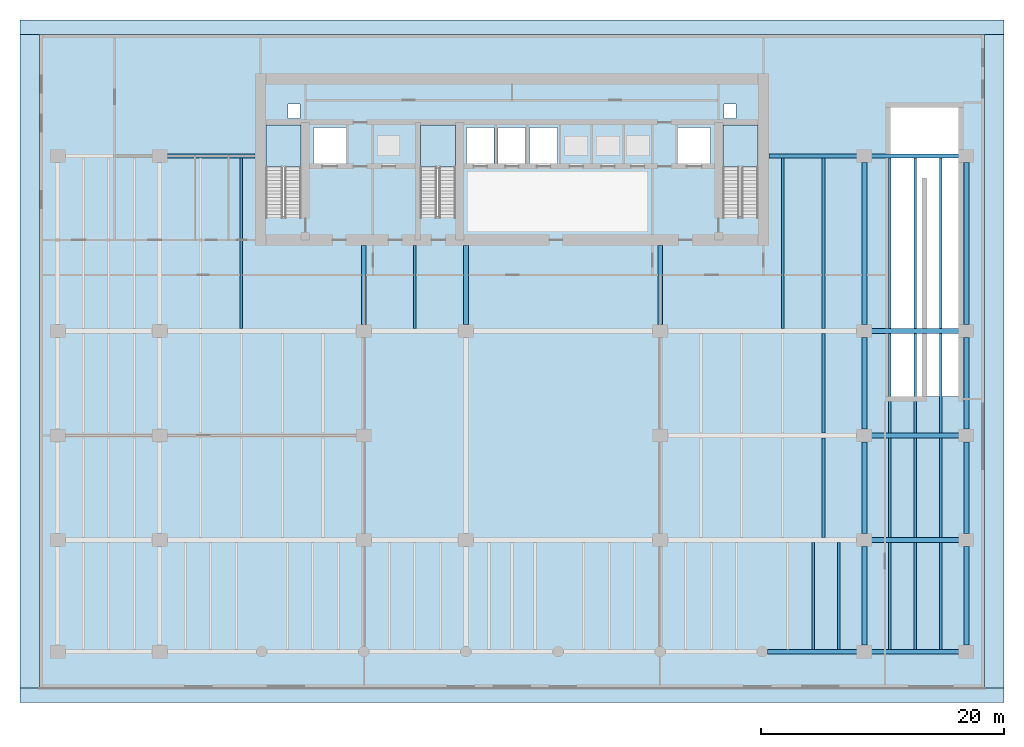
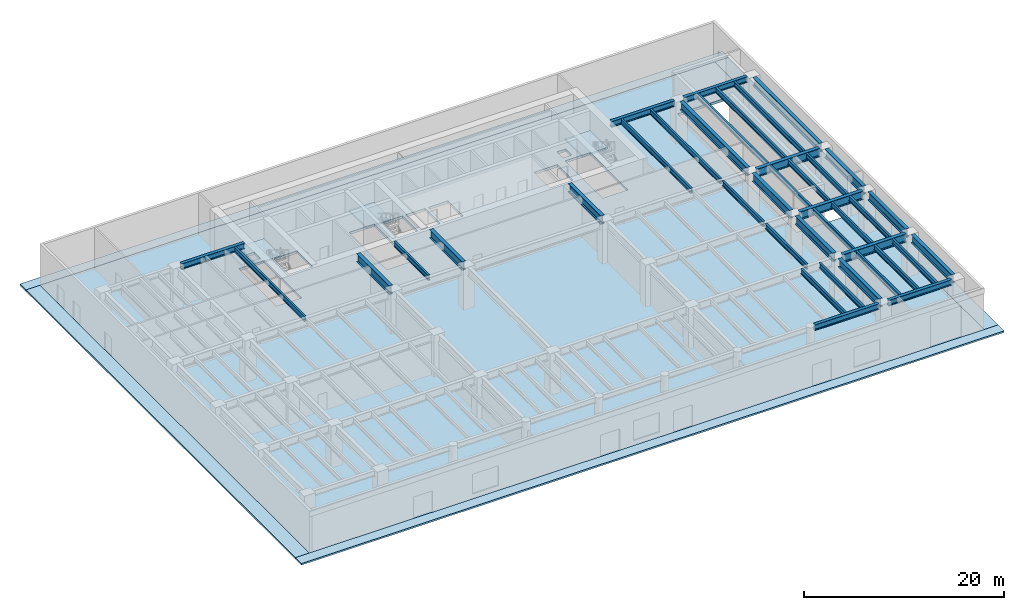
# One storey, part 2 of 11: 39 beams, 8 slabs, 3 elements without a shape of their own.
"""IFC4 building model written with IfcOpenShell, lengths in metres."""

from ifc_helpers import new_model, si_unit, direction, frame, origin, origin_2d, place, context, subcontext, project, spatial, polyline, i_section, outline, extrude, material, layer, layer_set, material_profile, profile_set, type_object, element, aggregate, save


model = new_model("IFC4")

# Units and contexts
model_context = context("Model", 3, precision=1e-05, world=origin(), true_north=direction((0.0, 1.0)))
body_context = subcontext(model_context, "Body", "Model", "MODEL_VIEW")
ifc_project = project(units=[si_unit("LENGTHUNIT", "METRE"), si_unit("AREAUNIT", "SQUARE_METRE"), si_unit("VOLUMEUNIT", "CUBIC_METRE"), si_unit("PLANEANGLEUNIT", "RADIAN"), si_unit("MASSUNIT", "GRAM", prefix="KILO")], contexts=[model_context])

# Site, building, storey
site_placement = place(None, origin())
site = spatial("IfcSite", under=ifc_project, at=site_placement, CompositionType="ELEMENT")
building_placement = place(site_placement, origin())
building = spatial("IfcBuilding", under=site, at=building_placement, Name="Caelmar Bay Residences", CompositionType="ELEMENT")
storey_placement = place(building_placement, origin())
storey = spatial("IfcBuildingStorey", under=building, at=storey_placement, Name="L00", CompositionType="ELEMENT", Elevation=0.0)

# Beams
ifc_material_1 = material(Name="Steel ASTM A992 Grade 50", Category="steel")
ifc_material_profile_1 = material_profile(ifc_material_1, i_section(OverallWidth=0.404052734375, OverallDepth=1.02099609375, WebThickness=0.025390625, FlangeThickness=0.0458984375, FilletRadius=0.02294921875, at=origin_2d()), Name="W40X324")
ifc_profile_set_1 = profile_set([ifc_material_profile_1], Name="Steel ASTM A992 Grade 50")
beam_type_1 = type_object("IfcBeamType", Name="BM-GRD-W40X324", PredefinedType="BEAM", material=ifc_profile_set_1)
for number, where, z_axis, x_axis, name in (
    (1, (68.43994140625, 12.199951171875, 4.589599609375), (1.0, 0.0, 0.0), (0.0, 1.0, 0.0), "L00 East-West Girder Y=12.20 (67.9-76.3)"),
    (2, (68.43994140625, 20.800048828125, 4.589599609375), (1.0, 0.0, 0.0), (0.0, 1.0, 0.0), "L00 East-West Girder Y=20.80 (67.9-76.3)"),
    (3, (68.43994140625, 29.39990234375, 4.589599609375), (1.0, 0.0, 0.0), (0.0, 1.0, 0.0), "L00 East-West Girder Y=29.40 (67.9-76.3)"),
):
    element("IfcBeam", number, at=place(storey_placement, frame(where, z_axis=z_axis, x_axis=x_axis)), inside=storey, type_object=beam_type_1, Name=name, PredefinedType="BEAM", context=body_context, shape_type="SweptSolid", body=[
        extrude(i_section(OverallWidth=0.404052734375, OverallDepth=1.02099609375, WebThickness=0.025390625, FlangeThickness=0.0458984375, FilletRadius=0.02294921875, at=origin_2d()), origin(), (0.0, 0.0, 1.0), 7.320068359375),
    ])
for number, where, z_axis, x_axis, name in (
    (4, (26.699951171875, 29.93994140625, 4.589599609375), (0.0, 1.0, 0.0), (-1.0, 0.0, 0.0), "L00 Core Tie Girder X=26.70"),
    (5, (35.10009765625, 29.93994140625, 4.589599609375), (0.0, 1.0, 0.0), (-1.0, 0.0, 0.0), "L00 Core Tie Girder X=35.10"),
    (6, (51.10009765625, 29.93994140625, 4.589599609375), (0.0, 1.0, 0.0), (-1.0, 0.0, 0.0), "L00 Core Tie Girder X=51.10"),
):
    element("IfcBeam", number, at=place(storey_placement, frame(where, z_axis=z_axis, x_axis=x_axis)), inside=storey, type_object=beam_type_1, Name=name, PredefinedType="BEAM", context=body_context, shape_type="SweptSolid", body=[
        extrude(i_section(OverallWidth=0.404052734375, OverallDepth=1.02099609375, WebThickness=0.025390625, FlangeThickness=0.0458984375, FilletRadius=0.02294921875, at=origin_2d()), origin(), (0.0, 0.0, 1.0), 6.510009765625),
    ])
beam_1_placement = place(storey_placement, frame((67.89990234375, 3.5400390625, 4.589599609375), z_axis=(0.0, 1.0, 0.0), x_axis=(-1.0, 0.0, 0.0)))
element("IfcBeam", 7, at=beam_1_placement, inside=storey, type_object=beam_type_1, Name="L00 North-South Girder X=67.90 (3.0-12.2)", PredefinedType="BEAM", context=body_context, shape_type="SweptSolid", body=[
    extrude(i_section(OverallWidth=0.404052734375, OverallDepth=1.02099609375, WebThickness=0.025390625, FlangeThickness=0.0458984375, FilletRadius=0.02294921875, at=origin_2d()), origin(), (0.0, 0.0, 1.0), 8.119873046875),
])
for number, where, z_axis, x_axis, name in (
    (8, (67.89990234375, 12.739990234375, 4.589599609375), (0.0, 1.0, 0.0), (-1.0, 0.0, 0.0), "L00 North-South Girder X=67.90 (12.2-20.8)"),
    (9, (67.89990234375, 21.340087890625, 4.589599609375), (0.0, 1.0, 0.0), (-1.0, 0.0, 0.0), "L00 North-South Girder X=67.90 (20.8-29.4)"),
):
    element("IfcBeam", number, at=place(storey_placement, frame(where, z_axis=z_axis, x_axis=x_axis)), inside=storey, type_object=beam_type_1, Name=name, PredefinedType="BEAM", context=body_context, shape_type="SweptSolid", body=[
        extrude(i_section(OverallWidth=0.404052734375, OverallDepth=1.02099609375, WebThickness=0.025390625, FlangeThickness=0.0458984375, FilletRadius=0.02294921875, at=origin_2d()), origin(), (0.0, 0.0, 1.0), 7.52001953125),
    ])
beam_2_placement = place(storey_placement, frame((67.89990234375, 29.93994140625, 4.589599609375), z_axis=(0.0, 1.0, 0.0), x_axis=(-1.0, 0.0, 0.0)))
element("IfcBeam", 10, at=beam_2_placement, inside=storey, type_object=beam_type_1, Name="L00 North-South Girder X=67.90 (29.4-43.8)", PredefinedType="BEAM", context=body_context, shape_type="SweptSolid", body=[
    extrude(i_section(OverallWidth=0.404052734375, OverallDepth=1.02099609375, WebThickness=0.025390625, FlangeThickness=0.0458984375, FilletRadius=0.02294921875, at=origin_2d()), origin(), (0.0, 0.0, 1.0), 13.320068359375),
])
beam_3_placement = place(storey_placement, frame((76.300048828125, 3.5400390625, 4.589599609375), z_axis=(0.0, 1.0, 0.0), x_axis=(-1.0, 0.0, 0.0)))
element("IfcBeam", 11, at=beam_3_placement, inside=storey, type_object=beam_type_1, Name="L00 North-South Girder X=76.30 (3.0-12.2)", PredefinedType="BEAM", context=body_context, shape_type="SweptSolid", body=[
    extrude(i_section(OverallWidth=0.404052734375, OverallDepth=1.02099609375, WebThickness=0.025390625, FlangeThickness=0.0458984375, FilletRadius=0.02294921875, at=origin_2d()), origin(), (0.0, 0.0, 1.0), 8.119873046875),
])
for number, where, z_axis, x_axis, name in (
    (12, (76.300048828125, 12.739990234375, 4.589599609375), (0.0, 1.0, 0.0), (-1.0, 0.0, 0.0), "L00 North-South Girder X=76.30 (12.2-20.8)"),
    (13, (76.300048828125, 21.340087890625, 4.589599609375), (0.0, 1.0, 0.0), (-1.0, 0.0, 0.0), "L00 North-South Girder X=76.30 (20.8-29.4)"),
):
    element("IfcBeam", number, at=place(storey_placement, frame(where, z_axis=z_axis, x_axis=x_axis)), inside=storey, type_object=beam_type_1, Name=name, PredefinedType="BEAM", context=body_context, shape_type="SweptSolid", body=[
        extrude(i_section(OverallWidth=0.404052734375, OverallDepth=1.02099609375, WebThickness=0.025390625, FlangeThickness=0.0458984375, FilletRadius=0.02294921875, at=origin_2d()), origin(), (0.0, 0.0, 1.0), 7.52001953125),
    ])
beam_4_placement = place(storey_placement, frame((76.300048828125, 29.93994140625, 4.589599609375), z_axis=(0.0, 1.0, 0.0), x_axis=(-1.0, 0.0, 0.0)))
element("IfcBeam", 14, at=beam_4_placement, inside=storey, type_object=beam_type_1, Name="L00 North-South Girder X=76.30 (29.4-43.8)", PredefinedType="BEAM", context=body_context, shape_type="SweptSolid", body=[
    extrude(i_section(OverallWidth=0.404052734375, OverallDepth=1.02099609375, WebThickness=0.025390625, FlangeThickness=0.0458984375, FilletRadius=0.02294921875, at=origin_2d()), origin(), (0.0, 0.0, 1.0), 13.320068359375),
])
ifc_material_profile_2 = material_profile(ifc_material_1, i_section(OverallWidth=0.22900390625, OverallDepth=0.612060546875, WebThickness=0.011962890625, FlangeThickness=0.01953125, FilletRadius=0.0126953125, at=origin_2d()), Name="W24X84")
ifc_profile_set_2 = profile_set([ifc_material_profile_2], Name="Steel ASTM A992 Grade 50")
beam_type_2 = type_object("IfcBeamType", Name="BM-JST-W24X84", PredefinedType="JOIST", material=ifc_profile_set_2)
for number, where, z_axis, x_axis, name in (
    (15, (63.699951171875, 3.177978515625, 4.7939453125), (0.0, 1.0, 0.0), (-1.0, 0.0, 0.0), "L00 Composite Floor Joist 23"),
    (16, (65.800048828125, 3.177978515625, 4.7939453125), (0.0, 1.0, 0.0), (-1.0, 0.0, 0.0), "L00 Composite Floor Joist 24"),
    (17, (70.0, 3.177978515625, 4.7939453125), (0.0, 1.0, 0.0), (-1.0, 0.0, 0.0), "L00 Composite Floor Joist 25"),
    (18, (72.10009765625, 3.177978515625, 4.7939453125), (0.0, 1.0, 0.0), (-1.0, 0.0, 0.0), "L00 Composite Floor Joist 26"),
    (19, (74.199951171875, 3.177978515625, 4.7939453125), (0.0, 1.0, 0.0), (-1.0, 0.0, 0.0), "L00 Composite Floor Joist 27"),
):
    element("IfcBeam", number, at=place(storey_placement, frame(where, z_axis=z_axis, x_axis=x_axis)), inside=storey, type_object=beam_type_2, Name=name, PredefinedType="JOIST", context=body_context, shape_type="SweptSolid", body=[
        extrude(i_section(OverallWidth=0.22900390625, OverallDepth=0.612060546875, WebThickness=0.011962890625, FlangeThickness=0.01953125, FilletRadius=0.0126953125, at=origin_2d()), origin(), (0.0, 0.0, 1.0), 8.820068359375),
    ])
for number, where, z_axis, x_axis, name in (
    (20, (64.5400390625, 12.402099609375, 4.7939453125), (0.0, 1.0, 0.0), (-1.0, 0.0, 0.0), "L00 Composite Floor Joist 38"),
    (21, (70.0, 12.402099609375, 4.7939453125), (0.0, 1.0, 0.0), (-1.0, 0.0, 0.0), "L00 Composite Floor Joist 39"),
    (22, (72.10009765625, 12.402099609375, 4.7939453125), (0.0, 1.0, 0.0), (-1.0, 0.0, 0.0), "L00 Composite Floor Joist 40"),
    (23, (74.199951171875, 12.402099609375, 4.7939453125), (0.0, 1.0, 0.0), (-1.0, 0.0, 0.0), "L00 Composite Floor Joist 41"),
):
    element("IfcBeam", number, at=place(storey_placement, frame(where, z_axis=z_axis, x_axis=x_axis)), inside=storey, type_object=beam_type_2, Name=name, PredefinedType="JOIST", context=body_context, shape_type="SweptSolid", body=[
        extrude(i_section(OverallWidth=0.22900390625, OverallDepth=0.612060546875, WebThickness=0.011962890625, FlangeThickness=0.01953125, FilletRadius=0.0126953125, at=origin_2d()), origin(), (0.0, 0.0, 1.0), 8.19580078125),
    ])
for number, where, z_axis, x_axis, name in (
    (24, (64.5400390625, 21.001953125, 4.7939453125), (0.0, 1.0, 0.0), (-1.0, 0.0, 0.0), "L00 Composite Floor Joist 52"),
    (25, (70.0, 21.001953125, 4.7939453125), (0.0, 1.0, 0.0), (-1.0, 0.0, 0.0), "L00 Composite Floor Joist 53"),
    (26, (72.10009765625, 21.001953125, 4.7939453125), (0.0, 1.0, 0.0), (-1.0, 0.0, 0.0), "L00 Composite Floor Joist 54"),
    (27, (74.199951171875, 21.001953125, 4.7939453125), (0.0, 1.0, 0.0), (-1.0, 0.0, 0.0), "L00 Composite Floor Joist 55"),
):
    element("IfcBeam", number, at=place(storey_placement, frame(where, z_axis=z_axis, x_axis=x_axis)), inside=storey, type_object=beam_type_2, Name=name, PredefinedType="JOIST", context=body_context, shape_type="SweptSolid", body=[
        extrude(i_section(OverallWidth=0.22900390625, OverallDepth=0.612060546875, WebThickness=0.011962890625, FlangeThickness=0.01953125, FilletRadius=0.0126953125, at=origin_2d()), origin(), (0.0, 0.0, 1.0), 8.196044921875),
    ])
beam_5_placement = place(storey_placement, frame((30.89990234375, 29.60205078125, 4.7939453125), z_axis=(0.0, 1.0, 0.0), x_axis=(-1.0, 0.0, 0.0)))
element("IfcBeam", 28, at=beam_5_placement, inside=storey, type_object=beam_type_2, Name="L00 Core-Band Composite Joist 56", PredefinedType="JOIST", context=body_context, shape_type="SweptSolid", body=[
    extrude(i_section(OverallWidth=0.22900390625, OverallDepth=0.612060546875, WebThickness=0.011962890625, FlangeThickness=0.01953125, FilletRadius=0.0126953125, at=origin_2d()), origin(), (0.0, 0.0, 1.0), 6.847900390625),
])
for number, where, z_axis, x_axis, name in (
    (29, (16.6201171875, 29.60205078125, 4.7939453125), (0.0, 1.0, 0.0), (-1.0, 0.0, 0.0), "L00 Composite Floor Joist 61"),
    (30, (61.179931640625, 29.60205078125, 4.7939453125), (0.0, 1.0, 0.0), (-1.0, 0.0, 0.0), "L00 Composite Floor Joist 62"),
    (31, (64.5400390625, 29.60205078125, 4.7939453125), (0.0, 1.0, 0.0), (-1.0, 0.0, 0.0), "L00 Composite Floor Joist 63"),
    (32, (70.0, 29.60205078125, 4.7939453125), (0.0, 1.0, 0.0), (-1.0, 0.0, 0.0), "L00 Composite Floor Joist 64"),
    (33, (72.10009765625, 29.60205078125, 4.7939453125), (0.0, 1.0, 0.0), (-1.0, 0.0, 0.0), "L00 Composite Floor Joist 65"),
    (34, (74.199951171875, 29.60205078125, 4.7939453125), (0.0, 1.0, 0.0), (-1.0, 0.0, 0.0), "L00 Composite Floor Joist 66"),
):
    element("IfcBeam", number, at=place(storey_placement, frame(where, z_axis=z_axis, x_axis=x_axis)), inside=storey, type_object=beam_type_2, Name=name, PredefinedType="JOIST", context=body_context, shape_type="SweptSolid", body=[
        extrude(i_section(OverallWidth=0.22900390625, OverallDepth=0.612060546875, WebThickness=0.011962890625, FlangeThickness=0.01953125, FilletRadius=0.0126953125, at=origin_2d()), origin(), (0.0, 0.0, 1.0), 14.02001953125),
    ])
ifc_material_profile_3 = material_profile(ifc_material_1, i_section(OverallWidth=0.35595703125, OverallDepth=0.696044921875, WebThickness=0.015380859375, FlangeThickness=0.02490234375, FilletRadius=0.01513671875, at=origin_2d()), Name="W27X146")
ifc_profile_set_3 = profile_set([ifc_material_profile_3], Name="Steel ASTM A992 Grade 50")
beam_type_3 = type_object("IfcBeamType", Name="BM-SPN-W27X146", PredefinedType="SPANDREL", material=ifc_profile_set_3)
beam_6_placement = place(storey_placement, frame((59.93994140625, 3.0, 4.751953125), z_axis=(1.0, 0.0, 0.0), x_axis=(0.0, 1.0, 0.0)))
element("IfcBeam", 35, at=beam_6_placement, inside=storey, type_object=beam_type_3, Name="L00 East-West Girder Y=3.00 (59.5-67.9)", PredefinedType="SPANDREL", context=body_context, shape_type="SweptSolid", body=[
    extrude(i_section(OverallWidth=0.35595703125, OverallDepth=0.696044921875, WebThickness=0.015380859375, FlangeThickness=0.02490234375, FilletRadius=0.01513671875, at=origin_2d()), origin(), (0.0, 0.0, 1.0), 7.420166015625),
])
for number, where, z_axis, x_axis, name in (
    (36, (68.43994140625, 3.0, 4.751953125), (1.0, 0.0, 0.0), (0.0, 1.0, 0.0), "L00 East-West Girder Y=3.00 (67.9-76.3)"),
    (37, (68.43994140625, 43.800048828125, 4.751953125), (1.0, 0.0, 0.0), (0.0, 1.0, 0.0), "L00 East-West Girder Y=43.80 (67.9-76.3)"),
):
    element("IfcBeam", number, at=place(storey_placement, frame(where, z_axis=z_axis, x_axis=x_axis)), inside=storey, type_object=beam_type_3, Name=name, PredefinedType="SPANDREL", context=body_context, shape_type="SweptSolid", body=[
        extrude(i_section(OverallWidth=0.35595703125, OverallDepth=0.696044921875, WebThickness=0.015380859375, FlangeThickness=0.02490234375, FilletRadius=0.01513671875, at=origin_2d()), origin(), (0.0, 0.0, 1.0), 7.320068359375),
    ])
for number, where, z_axis, x_axis, name in (
    (38, (10.43994140625, 43.800048828125, 4.751953125), (1.0, 0.0, 0.0), (0.0, 1.0, 0.0), "L00 North-West Wing Core Tie Girder"),
    (39, (60.050048828125, 43.800048828125, 4.751953125), (1.0, 0.0, 0.0), (0.0, 1.0, 0.0), "L00 North-East Wing Core Tie Girder"),
):
    element("IfcBeam", number, at=place(storey_placement, frame(where, z_axis=z_axis, x_axis=x_axis)), inside=storey, type_object=beam_type_3, Name=name, PredefinedType="SPANDREL", context=body_context, shape_type="SweptSolid", body=[
        extrude(i_section(OverallWidth=0.35595703125, OverallDepth=0.696044921875, WebThickness=0.015380859375, FlangeThickness=0.02490234375, FilletRadius=0.01513671875, at=origin_2d()), origin(), (0.0, 0.0, 1.0), 7.31005859375),
    ])

# Stair, slab
ifc_material_2 = material(Name="Concrete f'c 40 MPa (6,000 psi)", Category="concrete")
stair_type = type_object("IfcStairType", Name="ST-TAL-170", PredefinedType="HALF_TURN_STAIR", material=ifc_material_2)
stair_1_placement = place(storey_placement, origin())
stair_1 = element("IfcStair", 40, at=stair_1_placement, inside=storey, type_object=stair_type, Name="L00 West Smokeproof Exit Stair ST1", PredefinedType="HALF_TURN_STAIR")
ifc_layer_1 = layer(ifc_material_2, 0.199951171875)
ifc_layer_set_1 = layer_set([ifc_layer_1], Name="Concrete f'c 40 MPa (6,000 psi)")
slab_type_1 = type_object("IfcSlabType", Name="SLB-LND-200", PredefinedType="LANDING", material=ifc_layer_set_1)
slab_1_placement = place(storey_placement, frame((0.0, 0.0, 2.5)))
slab_1 = element("IfcSlab", 41, at=slab_1_placement, type_object=slab_type_1, Name="ST1 landing 1", PredefinedType="LANDING", context=body_context, shape_type="SweptSolid", body=[
    extrude(outline(polyline([(21.550048828125, 42.89990234375), (21.550048828125, 46.35009765625), (18.64990234375, 46.35009765625), (18.64990234375, 42.89990234375), (21.550048828125, 42.89990234375)])), origin(), (0.0, 0.0, 1.0), 0.199951171875),
])
aggregate(stair_1, [slab_1])

stair_2_placement = place(storey_placement, origin())
stair_2 = element("IfcStair", 42, at=stair_2_placement, inside=storey, type_object=stair_type, Name="L00 East Smokeproof Exit Stair ST2", PredefinedType="HALF_TURN_STAIR")
slab_2_placement = place(storey_placement, frame((0.0, 0.0, 2.5)))
slab_2 = element("IfcSlab", 43, at=slab_2_placement, type_object=slab_type_1, Name="ST2 landing 1", PredefinedType="LANDING", context=body_context, shape_type="SweptSolid", body=[
    extrude(outline(polyline([(59.14990234375, 42.89990234375), (59.14990234375, 46.35009765625), (56.25, 46.35009765625), (56.25, 42.89990234375), (59.14990234375, 42.89990234375)])), origin(), (0.0, 0.0, 1.0), 0.199951171875),
])
aggregate(stair_2, [slab_2])

stair_3_placement = place(storey_placement, origin())
stair_3 = element("IfcStair", 44, at=stair_3_placement, inside=storey, type_object=stair_type, Name="L00 Central Smokeproof Exit Stair ST3", PredefinedType="HALF_TURN_STAIR")
slab_3_placement = place(storey_placement, frame((0.0, 0.0, 2.5)))
slab_3 = element("IfcSlab", 45, at=slab_3_placement, type_object=slab_type_1, Name="ST3 landing 1", PredefinedType="LANDING", context=body_context, shape_type="SweptSolid", body=[
    extrude(outline(polyline([(34.25, 42.89990234375), (34.25, 46.35009765625), (31.35009765625, 46.35009765625), (31.35009765625, 42.89990234375), (34.25, 42.89990234375)])), origin(), (0.0, 0.0, 1.0), 0.199951171875),
])
aggregate(stair_3, [slab_3])

# Slabs
ifc_material_3 = material(Name="Oolitic coral limestone paving on concrete bed f'c 30 MPa", Category="masonry")
ifc_layer_2 = layer(ifc_material_3, 0.199951171875)
ifc_layer_set_2 = layer_set([ifc_layer_2], Name="Oolitic coral limestone paving on concrete bed f'c 30 MPa")
slab_type_2 = type_object("IfcSlabType", Name="SLB-PAV-200", PredefinedType="BASESLAB", material=ifc_layer_set_2)
slab_4_placement = place(storey_placement, frame((0.0, 0.0, -0.199951171875)))
element("IfcSlab", 46, at=slab_4_placement, inside=storey, type_object=slab_type_2, Name="Bayfront promenade paving SLB-L00-PAV-S", PredefinedType="BASESLAB", context=body_context, shape_type="SweptSolid", body=[
    extrude(outline(polyline([(-1.60009765625, -1.199951171875), (79.39990234375, -1.199951171875), (79.39990234375, 0.0), (-1.60009765625, 0.0), (-1.60009765625, -1.199951171875)])), origin(), (0.0, 0.0, 1.0), 0.199951171875),
])
slab_5_placement = place(storey_placement, frame((0.0, 0.0, -0.199951171875)))
element("IfcSlab", 47, at=slab_5_placement, inside=storey, type_object=slab_type_2, Name="Bayfront promenade paving SLB-L00-PAV-N", PredefinedType="BASESLAB", context=body_context, shape_type="SweptSolid", body=[
    extrude(outline(polyline([(-1.60009765625, 53.800048828125), (79.39990234375, 53.800048828125), (79.39990234375, 55.0), (-1.60009765625, 55.0), (-1.60009765625, 53.800048828125)])), origin(), (0.0, 0.0, 1.0), 0.199951171875),
])
slab_6_placement = place(storey_placement, frame((0.0, 0.0, -0.199951171875)))
element("IfcSlab", 48, at=slab_6_placement, inside=storey, type_object=slab_type_2, Name="Bayfront promenade paving SLB-L00-PAV-W", PredefinedType="BASESLAB", context=body_context, shape_type="SweptSolid", body=[
    extrude(outline(polyline([(-1.60009765625, 0.0), (0.0, 0.0), (0.0, 53.800048828125), (-1.60009765625, 53.800048828125), (-1.60009765625, 0.0)])), origin(), (0.0, 0.0, 1.0), 0.199951171875),
])
slab_7_placement = place(storey_placement, frame((0.0, 0.0, -0.199951171875)))
element("IfcSlab", 49, at=slab_7_placement, inside=storey, type_object=slab_type_2, Name="Bayfront promenade paving SLB-L00-PAV-E", PredefinedType="BASESLAB", context=body_context, shape_type="SweptSolid", body=[
    extrude(outline(polyline([(77.800048828125, 0.0), (79.39990234375, 0.0), (79.39990234375, 53.800048828125), (77.800048828125, 53.800048828125), (77.800048828125, 0.0)])), origin(), (0.0, 0.0, 1.0), 0.199951171875),
])
ifc_layer_3 = layer(ifc_material_2, 0.300048828125)
ifc_layer_set_3 = layer_set([ifc_layer_3], Name="Concrete f'c 40 MPa (6,000 psi)")
slab_type_3 = type_object("IfcSlabType", Name="SLB-POD-300", PredefinedType="FLOOR", material=ifc_layer_set_3)
slab_8_placement = place(storey_placement, frame((0.0, 0.0, -0.300048828125)))
element("IfcSlab", 50, at=slab_8_placement, inside=storey, type_object=slab_type_3, Name="L00 Structural Floor Slab", PredefinedType="FLOOR", context=body_context, shape_type="SweptSolid", body=[
    extrude(outline(polyline([(0.0, 0.0), (77.800048828125, 0.0), (77.800048828125, 53.800048828125), (0.0, 53.800048828125), (0.0, 0.0)]), holes=[polyline([(18.64990234375, 38.85009765625), (21.550048828125, 38.85009765625), (21.550048828125, 46.35009765625), (18.64990234375, 46.35009765625), (18.64990234375, 38.85009765625)]), polyline([(56.25, 38.85009765625), (59.14990234375, 38.85009765625), (59.14990234375, 46.35009765625), (56.25, 46.35009765625), (56.25, 38.85009765625)]), polyline([(31.35009765625, 38.85009765625), (34.25, 38.85009765625), (34.25, 46.35009765625), (31.35009765625, 46.35009765625), (31.35009765625, 38.85009765625)]), polyline([(22.550048828125, 43.050048828125), (25.25, 43.050048828125), (25.25, 46.14990234375), (22.550048828125, 46.14990234375), (22.550048828125, 43.050048828125)]), polyline([(52.550048828125, 43.050048828125), (55.25, 43.050048828125), (55.25, 46.14990234375), (52.550048828125, 46.14990234375), (52.550048828125, 43.050048828125)]), polyline([(35.14990234375, 43.14990234375), (37.39990234375, 43.14990234375), (37.39990234375, 46.14990234375), (35.14990234375, 46.14990234375), (35.14990234375, 43.14990234375)]), polyline([(37.75, 43.14990234375), (40.0, 43.14990234375), (40.0, 46.14990234375), (37.75, 46.14990234375), (37.75, 43.14990234375)]), polyline([(40.35009765625, 43.14990234375), (42.64990234375, 43.14990234375), (42.64990234375, 46.14990234375), (40.35009765625, 46.14990234375), (40.35009765625, 43.14990234375)]), polyline([(20.449951171875, 46.89990234375), (21.449951171875, 46.89990234375), (21.449951171875, 48.10009765625), (20.449951171875, 48.10009765625), (20.449951171875, 46.89990234375)]), polyline([(56.35009765625, 46.89990234375), (57.35009765625, 46.89990234375), (57.35009765625, 48.10009765625), (56.35009765625, 48.10009765625), (56.35009765625, 46.89990234375)]), polyline([(70.050048828125, 24.0), (75.64990234375, 24.0), (75.64990234375, 47.800048828125), (70.050048828125, 47.800048828125), (70.050048828125, 24.0)])]), origin(), (0.0, 0.0, 1.0), 0.300048828125),
])

save(model, "model.ifc")
